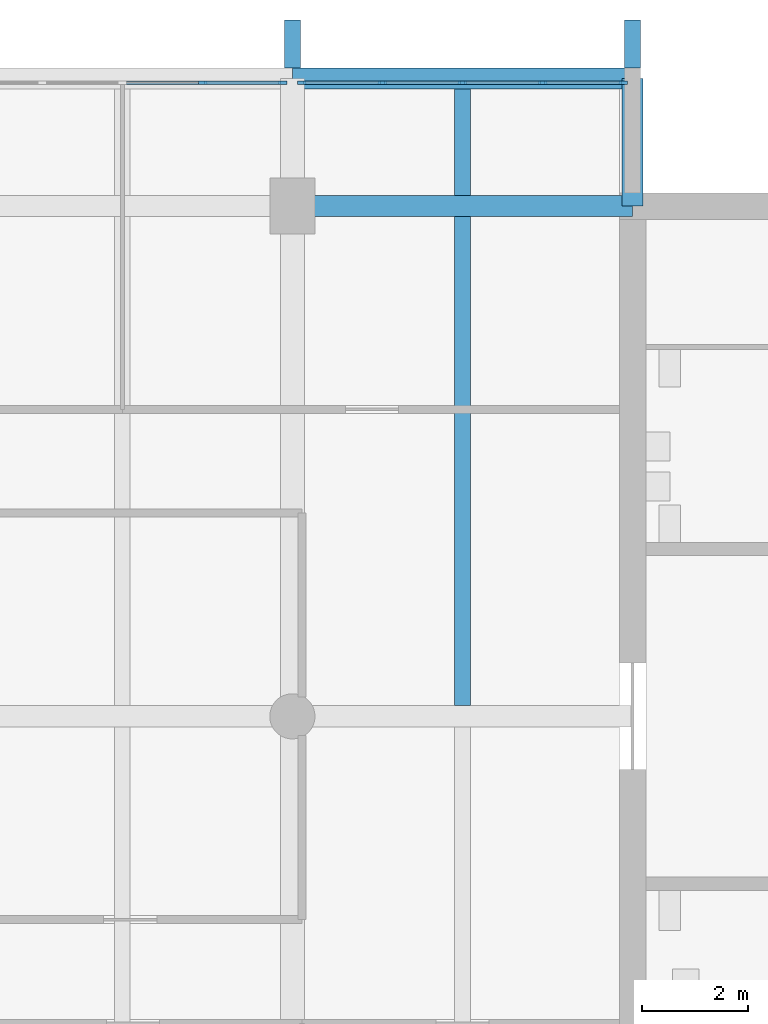
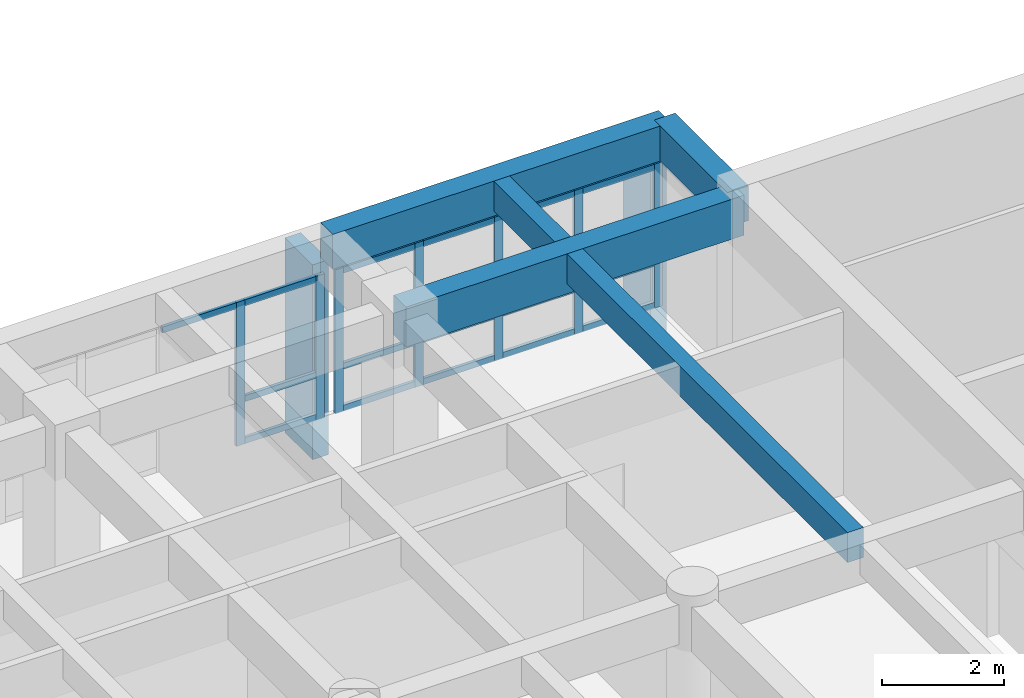
# One storey, part 6 of 15: 25 members, 5 beams, 2 elements without a shape of their own.
"""IFC4 building model written with IfcOpenShell, lengths in metres."""

from ifc_helpers import new_model, si_unit, direction, frame, origin, origin_2d, place, context, subcontext, project, spatial, rectangle, extrude, material, layer, layer_set, material_profile, profile_set, type_object, element, aggregate, save


model = new_model("IFC4")

# Units and contexts
model_context = context("Model", 3, precision=1e-05, world=origin(), true_north=direction((0.0, 1.0)))
body_context = subcontext(model_context, "Body", "Model", "MODEL_VIEW")
ifc_project = project(units=[si_unit("LENGTHUNIT", "METRE"), si_unit("AREAUNIT", "SQUARE_METRE"), si_unit("VOLUMEUNIT", "CUBIC_METRE"), si_unit("PLANEANGLEUNIT", "RADIAN"), si_unit("MASSUNIT", "GRAM", prefix="KILO")], contexts=[model_context])

# Site, building, storey
site_placement = place(None, origin())
site = spatial("IfcSite", under=ifc_project, at=site_placement, CompositionType="ELEMENT")
building_placement = place(site_placement, origin())
building = spatial("IfcBuilding", under=site, at=building_placement, Name="Fogon Plaza Fire Station and Headquarters Tower", CompositionType="ELEMENT")
storey_placement = place(building_placement, frame((0.0, 0.0, 52.199951171875)))
storey = spatial("IfcBuildingStorey", under=building, at=storey_placement, Name="L13", CompositionType="ELEMENT", Elevation=52.199951171875)

# Beams
ifc_material_1 = material(Name="Concrete C40", Category="concrete")
ifc_material_profile_1 = material_profile(ifc_material_1, rectangle(XDim=0.39990234375, YDim=0.699951171875, at=origin_2d()), Name="RC 400x700")
ifc_profile_set_1 = profile_set([ifc_material_profile_1], Name="Concrete C40")
beam_type_1 = type_object("IfcBeamType", Name="BEAM RC 400x700", PredefinedType="BEAM", material=ifc_profile_set_1)
beam_1_placement = place(storey_placement, frame((57.60009765625, 55.199951171875, 3.330078125), z_axis=(1.0, 0.0, 0.0), x_axis=(0.0, 1.0, 0.0)))
element("IfcBeam", 1, at=beam_1_placement, inside=storey, type_object=beam_type_1, Name="beam-L13-050", PredefinedType="BEAM", context=body_context, shape_type="SweptSolid", body=[
    extrude(rectangle(XDim=0.39990234375, YDim=0.699951171875, at=origin_2d()), origin(), (0.0, 0.0, 1.0), 6.39990234375),
])
ifc_material_2 = material(Name="Concrete C40", Category="concrete")
ifc_material_profile_2 = material_profile(ifc_material_2, rectangle(XDim=0.39990234375, YDim=0.699951171875, at=origin_2d()), Name="RC 400x700")
ifc_profile_set_2 = profile_set([ifc_material_profile_2], Name="Concrete C40")
beam_type_2 = type_object("IfcBeamType", Name="BEAM RC 400x700 SPAN 0.0 TO 3.0 M", PredefinedType="BEAM", material=ifc_profile_set_2)
beam_2_placement = place(storey_placement, frame((64.0, 52.800048828125, 3.330078125), z_axis=(0.0, 1.0, 0.0), x_axis=(-1.0, 0.0, 0.0)))
element("IfcBeam", 2, at=beam_2_placement, inside=storey, type_object=beam_type_2, Name="beam-L13-054", PredefinedType="BEAM", context=body_context, shape_type="SweptSolid", body=[
    extrude(rectangle(XDim=0.39990234375, YDim=0.699951171875, at=origin_2d()), origin(), (0.0, 0.0, 1.0), 2.39990234375),
])
ifc_material_3 = material(Name="Concrete C40", Category="concrete")
ifc_material_profile_3 = material_profile(ifc_material_3, rectangle(XDim=0.39990234375, YDim=0.800048828125, at=origin_2d()), Name="RC 400x800")
ifc_profile_set_3 = profile_set([ifc_material_profile_3], Name="Concrete C40")
beam_type_3 = type_object("IfcBeamType", Name="BEAM RC 400x800", PredefinedType="BEAM", material=ifc_profile_set_3)
beam_3_placement = place(storey_placement, frame((57.60009765625, 52.800048828125, 3.280029296875), z_axis=(1.0, 0.0, 0.0), x_axis=(0.0, 1.0, 0.0)))
element("IfcBeam", 3, at=beam_3_placement, inside=storey, type_object=beam_type_3, Name="beam-L13-038", PredefinedType="BEAM", context=body_context, shape_type="SweptSolid", body=[
    extrude(rectangle(XDim=0.39990234375, YDim=0.800048828125, at=origin_2d()), origin(), (0.0, 0.0, 1.0), 6.39990234375),
])

# Curtain wall, members
ifc_material_4 = material(Name="Aluminium and glass", Category="aluminium")
ifc_layer = layer(ifc_material_4, 0.14990234375)
ifc_layer_set = layer_set([ifc_layer], Name="Aluminium and glass")
curtain_wall_type = type_object("IfcCurtainWallType", Name="Unitised Curtain Wall Run 6100x2880", PredefinedType="NOTDEFINED", material=ifc_layer_set)
curtain_wall_1_placement = place(storey_placement, origin())
curtain_wall_1 = element("IfcCurtainWall", 4, at=curtain_wall_1_placement, inside=storey, type_object=curtain_wall_type, Name="CW-6100x2880 N5 L13", PredefinedType="NOTDEFINED")
ifc_material_5 = material(Name="Aluminium", Category="aluminium")
ifc_material_profile_4 = material_profile(ifc_material_5, rectangle(XDim=0.06005859375, YDim=0.159912109375, at=origin_2d()), Name="Curtain Wall Mullion 60x160")
ifc_profile_set_4 = profile_set([ifc_material_profile_4], Name="Aluminium")
member_type_1 = type_object("IfcMemberType", Name="Curtain Wall Mullion 60x160", PredefinedType="MULLION", material=ifc_profile_set_4)
member_1_placement = place(storey_placement, frame((55.909912109375, 55.1201171875, 0.0), z_axis=(0.0, 0.0, 1.0), x_axis=(0.0, 1.0, 0.0)))
member_1 = element("IfcMember", 5, at=member_1_placement, type_object=member_type_1, Name="CW-6100x2880 mullion 4", PredefinedType="MULLION", context=body_context, shape_type="SweptSolid", body=[
    extrude(rectangle(XDim=0.06005859375, YDim=0.159912109375, at=origin_2d()), origin(), (0.0, 0.0, 1.0), 2.880126953125),
])
member_2_placement = place(storey_placement, frame((57.419921875, 55.1201171875, 0.0), z_axis=(0.0, 0.0, 1.0), x_axis=(0.0, 1.0, 0.0)))
member_2 = element("IfcMember", 6, at=member_2_placement, type_object=member_type_1, Name="CW-6100x2880 mullion 5", PredefinedType="MULLION", context=body_context, shape_type="SweptSolid", body=[
    extrude(rectangle(XDim=0.06005859375, YDim=0.159912109375, at=origin_2d()), origin(), (0.0, 0.0, 1.0), 2.880126953125),
])

curtain_wall_2_placement = place(storey_placement, origin())
curtain_wall_2 = element("IfcCurtainWall", 7, at=curtain_wall_2_placement, inside=storey, type_object=curtain_wall_type, Name="CW-6100x2880 N6 L13", PredefinedType="NOTDEFINED")
member_3_placement = place(storey_placement, frame((57.780029296875, 55.1201171875, 0.0), z_axis=(0.0, 0.0, 1.0), x_axis=(0.0, 1.0, 0.0)))
member_3 = element("IfcMember", 8, at=member_3_placement, type_object=member_type_1, Name="CW-6100x2880 mullion 1", PredefinedType="MULLION", context=body_context, shape_type="SweptSolid", body=[
    extrude(rectangle(XDim=0.06005859375, YDim=0.159912109375, at=origin_2d()), origin(), (0.0, 0.0, 1.0), 2.880126953125),
])
member_4_placement = place(storey_placement, frame((59.2900390625, 55.1201171875, 0.0), z_axis=(0.0, 0.0, 1.0), x_axis=(0.0, 1.0, 0.0)))
member_4 = element("IfcMember", 9, at=member_4_placement, type_object=member_type_1, Name="CW-6100x2880 mullion 2", PredefinedType="MULLION", context=body_context, shape_type="SweptSolid", body=[
    extrude(rectangle(XDim=0.06005859375, YDim=0.159912109375, at=origin_2d()), origin(), (0.0, 0.0, 1.0), 2.880126953125),
])
member_5_placement = place(storey_placement, frame((60.800048828125, 55.1201171875, 0.0), z_axis=(0.0, 0.0, 1.0), x_axis=(0.0, 1.0, 0.0)))
member_5 = element("IfcMember", 10, at=member_5_placement, type_object=member_type_1, Name="CW-6100x2880 mullion 3", PredefinedType="MULLION", context=body_context, shape_type="SweptSolid", body=[
    extrude(rectangle(XDim=0.06005859375, YDim=0.159912109375, at=origin_2d()), origin(), (0.0, 0.0, 1.0), 2.880126953125),
])
member_6_placement = place(storey_placement, frame((62.31005859375, 55.1201171875, 0.0), z_axis=(0.0, 0.0, 1.0), x_axis=(0.0, 1.0, 0.0)))
member_6 = element("IfcMember", 11, at=member_6_placement, type_object=member_type_1, Name="CW-6100x2880 mullion 4", PredefinedType="MULLION", context=body_context, shape_type="SweptSolid", body=[
    extrude(rectangle(XDim=0.06005859375, YDim=0.159912109375, at=origin_2d()), origin(), (0.0, 0.0, 1.0), 2.880126953125),
])
member_7_placement = place(storey_placement, frame((63.820068359375, 55.1201171875, 0.0), z_axis=(0.0, 0.0, 1.0), x_axis=(0.0, 1.0, 0.0)))
member_7 = element("IfcMember", 12, at=member_7_placement, type_object=member_type_1, Name="CW-6100x2880 mullion 5", PredefinedType="MULLION", context=body_context, shape_type="SweptSolid", body=[
    extrude(rectangle(XDim=0.06005859375, YDim=0.159912109375, at=origin_2d()), origin(), (0.0, 0.0, 1.0), 2.880126953125),
])

# Member
ifc_material_6 = material(Name="Aluminium", Category="aluminium")
ifc_material_profile_5 = material_profile(ifc_material_6, rectangle(XDim=0.06005859375, YDim=0.1201171875, at=origin_2d()), Name="Curtain Wall Transom 60x120")
ifc_profile_set_5 = profile_set([ifc_material_profile_5], Name="Aluminium")
member_type_2 = type_object("IfcMemberType", Name="Curtain Wall Transom 60x120", PredefinedType="USERDEFINED", material=ifc_profile_set_5)
member_8_placement = place(storey_placement, frame((54.429931640625, 55.1201171875, 2.820068359375), z_axis=(1.0, 0.0, 0.0), x_axis=(0.0, 1.0, 0.0)))
member_8 = element("IfcMember", 13, at=member_8_placement, type_object=member_type_2, Name="CW-6100x2880 transom 3.3", ObjectType="TRANSOM", PredefinedType="USERDEFINED", context=body_context, shape_type="SweptSolid", body=[
    extrude(rectangle(XDim=0.06005859375, YDim=0.1201171875, at=origin_2d()), origin(), (0.0, 0.0, 1.0), 1.449951171875),
])

member_9_placement = place(storey_placement, frame((55.93994140625, 55.1201171875, 0.06005859375), z_axis=(1.0, 0.0, 0.0), x_axis=(0.0, 1.0, 0.0)))
member_9 = element("IfcMember", 14, at=member_9_placement, type_object=member_type_2, Name="CW-6100x2880 transom 4.1", ObjectType="TRANSOM", PredefinedType="USERDEFINED", context=body_context, shape_type="SweptSolid", body=[
    extrude(rectangle(XDim=0.06005859375, YDim=0.1201171875, at=origin_2d()), origin(), (0.0, 0.0, 1.0), 1.449951171875),
])

member_10_placement = place(storey_placement, frame((55.93994140625, 55.1201171875, 0.900146484375), z_axis=(1.0, 0.0, 0.0), x_axis=(0.0, 1.0, 0.0)))
member_10 = element("IfcMember", 15, at=member_10_placement, type_object=member_type_2, Name="CW-6100x2880 transom 4.2", ObjectType="TRANSOM", PredefinedType="USERDEFINED", context=body_context, shape_type="SweptSolid", body=[
    extrude(rectangle(XDim=0.06005859375, YDim=0.1201171875, at=origin_2d()), origin(), (0.0, 0.0, 1.0), 1.449951171875),
])

member_11_placement = place(storey_placement, frame((55.93994140625, 55.1201171875, 2.820068359375), z_axis=(1.0, 0.0, 0.0), x_axis=(0.0, 1.0, 0.0)))
member_11 = element("IfcMember", 16, at=member_11_placement, type_object=member_type_2, Name="CW-6100x2880 transom 4.3", ObjectType="TRANSOM", PredefinedType="USERDEFINED", context=body_context, shape_type="SweptSolid", body=[
    extrude(rectangle(XDim=0.06005859375, YDim=0.1201171875, at=origin_2d()), origin(), (0.0, 0.0, 1.0), 1.449951171875),
])

aggregate(curtain_wall_1, [member_1, member_2, member_8, member_9, member_10, member_11])

member_12_placement = place(storey_placement, frame((57.81005859375, 55.1201171875, 0.06005859375), z_axis=(1.0, 0.0, 0.0), x_axis=(0.0, 1.0, 0.0)))
member_12 = element("IfcMember", 17, at=member_12_placement, type_object=member_type_2, Name="CW-6100x2880 transom 1.1", ObjectType="TRANSOM", PredefinedType="USERDEFINED", context=body_context, shape_type="SweptSolid", body=[
    extrude(rectangle(XDim=0.06005859375, YDim=0.1201171875, at=origin_2d()), origin(), (0.0, 0.0, 1.0), 1.449951171875),
])

member_13_placement = place(storey_placement, frame((57.81005859375, 55.1201171875, 0.900146484375), z_axis=(1.0, 0.0, 0.0), x_axis=(0.0, 1.0, 0.0)))
member_13 = element("IfcMember", 18, at=member_13_placement, type_object=member_type_2, Name="CW-6100x2880 transom 1.2", ObjectType="TRANSOM", PredefinedType="USERDEFINED", context=body_context, shape_type="SweptSolid", body=[
    extrude(rectangle(XDim=0.06005859375, YDim=0.1201171875, at=origin_2d()), origin(), (0.0, 0.0, 1.0), 1.449951171875),
])

member_14_placement = place(storey_placement, frame((57.81005859375, 55.1201171875, 2.820068359375), z_axis=(1.0, 0.0, 0.0), x_axis=(0.0, 1.0, 0.0)))
member_14 = element("IfcMember", 19, at=member_14_placement, type_object=member_type_2, Name="CW-6100x2880 transom 1.3", ObjectType="TRANSOM", PredefinedType="USERDEFINED", context=body_context, shape_type="SweptSolid", body=[
    extrude(rectangle(XDim=0.06005859375, YDim=0.1201171875, at=origin_2d()), origin(), (0.0, 0.0, 1.0), 1.449951171875),
])

member_15_placement = place(storey_placement, frame((59.320068359375, 55.1201171875, 0.06005859375), z_axis=(1.0, 0.0, 0.0), x_axis=(0.0, 1.0, 0.0)))
member_15 = element("IfcMember", 20, at=member_15_placement, type_object=member_type_2, Name="CW-6100x2880 transom 2.1", ObjectType="TRANSOM", PredefinedType="USERDEFINED", context=body_context, shape_type="SweptSolid", body=[
    extrude(rectangle(XDim=0.06005859375, YDim=0.1201171875, at=origin_2d()), origin(), (0.0, 0.0, 1.0), 1.449951171875),
])

member_16_placement = place(storey_placement, frame((59.320068359375, 55.1201171875, 0.900146484375), z_axis=(1.0, 0.0, 0.0), x_axis=(0.0, 1.0, 0.0)))
member_16 = element("IfcMember", 21, at=member_16_placement, type_object=member_type_2, Name="CW-6100x2880 transom 2.2", ObjectType="TRANSOM", PredefinedType="USERDEFINED", context=body_context, shape_type="SweptSolid", body=[
    extrude(rectangle(XDim=0.06005859375, YDim=0.1201171875, at=origin_2d()), origin(), (0.0, 0.0, 1.0), 1.449951171875),
])

member_17_placement = place(storey_placement, frame((59.320068359375, 55.1201171875, 2.820068359375), z_axis=(1.0, 0.0, 0.0), x_axis=(0.0, 1.0, 0.0)))
member_17 = element("IfcMember", 22, at=member_17_placement, type_object=member_type_2, Name="CW-6100x2880 transom 2.3", ObjectType="TRANSOM", PredefinedType="USERDEFINED", context=body_context, shape_type="SweptSolid", body=[
    extrude(rectangle(XDim=0.06005859375, YDim=0.1201171875, at=origin_2d()), origin(), (0.0, 0.0, 1.0), 1.449951171875),
])

member_18_placement = place(storey_placement, frame((60.830078125, 55.1201171875, 0.06005859375), z_axis=(1.0, 0.0, 0.0), x_axis=(0.0, 1.0, 0.0)))
member_18 = element("IfcMember", 23, at=member_18_placement, type_object=member_type_2, Name="CW-6100x2880 transom 3.1", ObjectType="TRANSOM", PredefinedType="USERDEFINED", context=body_context, shape_type="SweptSolid", body=[
    extrude(rectangle(XDim=0.06005859375, YDim=0.1201171875, at=origin_2d()), origin(), (0.0, 0.0, 1.0), 1.449951171875),
])

member_19_placement = place(storey_placement, frame((60.830078125, 55.1201171875, 0.900146484375), z_axis=(1.0, 0.0, 0.0), x_axis=(0.0, 1.0, 0.0)))
member_19 = element("IfcMember", 24, at=member_19_placement, type_object=member_type_2, Name="CW-6100x2880 transom 3.2", ObjectType="TRANSOM", PredefinedType="USERDEFINED", context=body_context, shape_type="SweptSolid", body=[
    extrude(rectangle(XDim=0.06005859375, YDim=0.1201171875, at=origin_2d()), origin(), (0.0, 0.0, 1.0), 1.449951171875),
])

member_20_placement = place(storey_placement, frame((60.830078125, 55.1201171875, 2.820068359375), z_axis=(1.0, 0.0, 0.0), x_axis=(0.0, 1.0, 0.0)))
member_20 = element("IfcMember", 25, at=member_20_placement, type_object=member_type_2, Name="CW-6100x2880 transom 3.3", ObjectType="TRANSOM", PredefinedType="USERDEFINED", context=body_context, shape_type="SweptSolid", body=[
    extrude(rectangle(XDim=0.06005859375, YDim=0.1201171875, at=origin_2d()), origin(), (0.0, 0.0, 1.0), 1.449951171875),
])

member_21_placement = place(storey_placement, frame((62.340087890625, 55.1201171875, 0.06005859375), z_axis=(1.0, 0.0, 0.0), x_axis=(0.0, 1.0, 0.0)))
member_21 = element("IfcMember", 26, at=member_21_placement, type_object=member_type_2, Name="CW-6100x2880 transom 4.1", ObjectType="TRANSOM", PredefinedType="USERDEFINED", context=body_context, shape_type="SweptSolid", body=[
    extrude(rectangle(XDim=0.06005859375, YDim=0.1201171875, at=origin_2d()), origin(), (0.0, 0.0, 1.0), 1.449951171875),
])

member_22_placement = place(storey_placement, frame((62.340087890625, 55.1201171875, 0.900146484375), z_axis=(1.0, 0.0, 0.0), x_axis=(0.0, 1.0, 0.0)))
member_22 = element("IfcMember", 27, at=member_22_placement, type_object=member_type_2, Name="CW-6100x2880 transom 4.2", ObjectType="TRANSOM", PredefinedType="USERDEFINED", context=body_context, shape_type="SweptSolid", body=[
    extrude(rectangle(XDim=0.06005859375, YDim=0.1201171875, at=origin_2d()), origin(), (0.0, 0.0, 1.0), 1.449951171875),
])

member_23_placement = place(storey_placement, frame((62.340087890625, 55.1201171875, 2.820068359375), z_axis=(1.0, 0.0, 0.0), x_axis=(0.0, 1.0, 0.0)))
member_23 = element("IfcMember", 28, at=member_23_placement, type_object=member_type_2, Name="CW-6100x2880 transom 4.3", ObjectType="TRANSOM", PredefinedType="USERDEFINED", context=body_context, shape_type="SweptSolid", body=[
    extrude(rectangle(XDim=0.06005859375, YDim=0.1201171875, at=origin_2d()), origin(), (0.0, 0.0, 1.0), 1.449951171875),
])

aggregate(curtain_wall_2, [member_3, member_4, member_5, member_6, member_7, member_12, member_13, member_14, member_15, member_16, member_17, member_18, member_19, member_20, member_21, member_22, member_23])

# Beams
ifc_material_7 = material(Name="Concrete C40", Category="concrete")
ifc_material_profile_6 = material_profile(ifc_material_7, rectangle(XDim=0.300048828125, YDim=0.60009765625, at=origin_2d()), Name="RC 300x600")
ifc_profile_set_6 = profile_set([ifc_material_profile_6], Name="Concrete C40")
beam_type_4 = type_object("IfcBeamType", Name="JOIST RC 300x600", PredefinedType="JOIST", material=ifc_profile_set_6)
beam_4_placement = place(storey_placement, frame((60.800048828125, 43.39990234375, 3.380126953125), z_axis=(0.0, 1.0, 0.0), x_axis=(-1.0, 0.0, 0.0)))
element("IfcBeam", 29, at=beam_4_placement, inside=storey, type_object=beam_type_4, Name="beam-L13-077", PredefinedType="JOIST", context=body_context, shape_type="SweptSolid", body=[
    extrude(rectangle(XDim=0.300048828125, YDim=0.60009765625, at=origin_2d()), origin(), (0.0, 0.0, 1.0), 9.2001953125),
])
ifc_material_8 = material(Name="Concrete C40", Category="concrete")
ifc_material_profile_7 = material_profile(ifc_material_8, rectangle(XDim=0.300048828125, YDim=0.60009765625, at=origin_2d()), Name="RC 300x600")
ifc_profile_set_7 = profile_set([ifc_material_profile_7], Name="Concrete C40")
beam_type_5 = type_object("IfcBeamType", Name="JOIST RC 300x600 SPAN 0.0 TO 3.0 M", PredefinedType="JOIST", material=ifc_profile_set_7)
beam_5_placement = place(storey_placement, frame((60.800048828125, 53.0, 3.380126953125), z_axis=(0.0, 1.0, 0.0), x_axis=(-1.0, 0.0, 0.0)))
element("IfcBeam", 30, at=beam_5_placement, inside=storey, type_object=beam_type_5, Name="beam-L13-078", PredefinedType="JOIST", context=body_context, shape_type="SweptSolid", body=[
    extrude(rectangle(XDim=0.300048828125, YDim=0.60009765625, at=origin_2d()), origin(), (0.0, 0.0, 1.0), 2.0),
])

# Members
ifc_material_9 = material(Name="Concrete C40 precast", Category="concrete")
ifc_material_profile_8 = material_profile(ifc_material_9, rectangle(XDim=0.300048828125, YDim=0.89990234375, at=origin_2d()), Name="Precast Concrete Post 300x900")
ifc_profile_set_8 = profile_set([ifc_material_profile_8], Name="Concrete C40 precast")
member_type_3 = type_object("IfcMemberType", Name="Precast Concrete Post 300x900", PredefinedType="POST", material=ifc_profile_set_8)
for number, where, z_axis, x_axis, name in (
    (31, (57.60009765625, 55.85009765625, -1.02001953125), (0.0, 0.0, 1.0), (1.0, 0.0, 0.0), "Precast Post N L13"),
    (32, (64.0, 55.85009765625, -1.02001953125), (0.0, 0.0, 1.0), (1.0, 0.0, 0.0), "Precast Post N L13"),
):
    element("IfcMember", number, at=place(storey_placement, frame(where, z_axis=z_axis, x_axis=x_axis)), inside=storey, type_object=member_type_3, Name=name, PredefinedType="POST", context=body_context, shape_type="SweptSolid", body=[
        extrude(rectangle(XDim=0.300048828125, YDim=0.89990234375, at=origin_2d()), origin(), (0.0, 0.0, 1.0), 3.900146484375),
    ])

save(model, "model.ifc")
